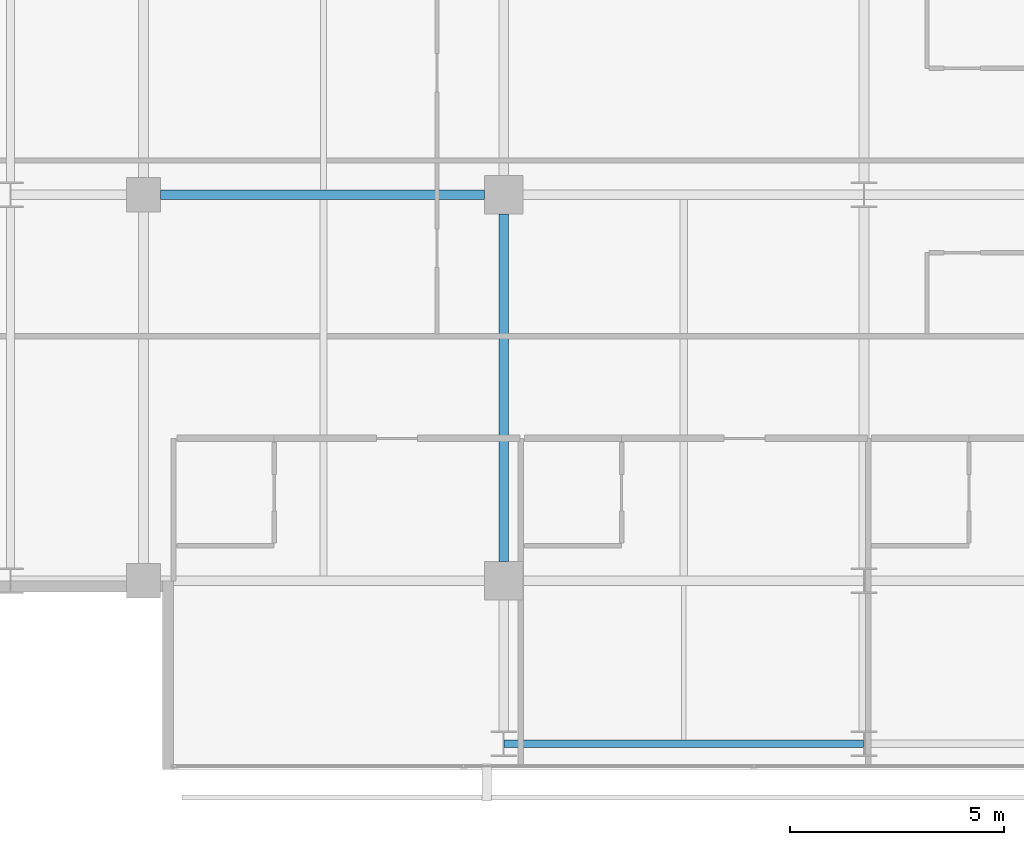
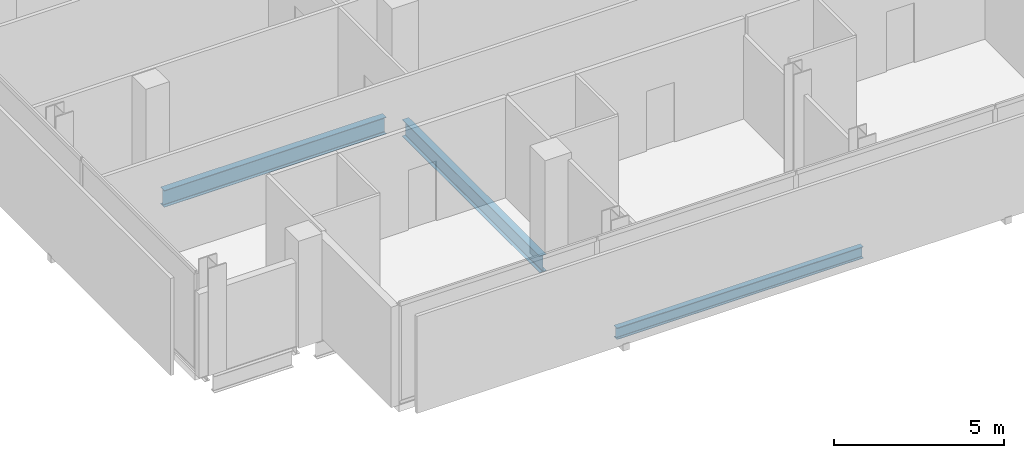
# One storey, part 5 of 34: 3 beams.
"""IFC4 building model written with IfcOpenShell, lengths in metres."""

from ifc_helpers import new_model, si_unit, direction, frame, origin, origin_2d, place, context, subcontext, project, spatial, i_section, extrude, material, material_profile, profile_set, type_object, element, save


model = new_model("IFC4")

# Units and contexts
model_context = context("Model", 3, precision=1e-05, world=origin(), true_north=direction((0.0, 1.0)))
body_context = subcontext(model_context, "Body", "Model", "MODEL_VIEW")
ifc_project = project(units=[si_unit("LENGTHUNIT", "METRE"), si_unit("AREAUNIT", "SQUARE_METRE"), si_unit("VOLUMEUNIT", "CUBIC_METRE"), si_unit("PLANEANGLEUNIT", "RADIAN"), si_unit("MASSUNIT", "GRAM", prefix="KILO")], contexts=[model_context])

# Site, building, storey
site_placement = place(None, origin())
site = spatial("IfcSite", under=ifc_project, at=site_placement, CompositionType="ELEMENT")
building_placement = place(site_placement, origin())
building = spatial("IfcBuilding", under=site, at=building_placement, Name="Maruvema Waterfront Hotel and Observation Tower", CompositionType="ELEMENT")
storey_placement = place(building_placement, frame((0.0, 0.0, 181.300048828125)))
storey = spatial("IfcBuildingStorey", under=building, at=storey_placement, Name="L44", CompositionType="ELEMENT", Elevation=181.300048828125)

# Beams
ifc_material_1 = material(Name="Steel ASTM A572 Grade 50", Category="steel")
ifc_material_profile_1 = material_profile(ifc_material_1, i_section(OverallWidth=0.180908203125, OverallDepth=0.4169921875, WebThickness=0.010986328125, FlangeThickness=0.018310546875, FilletRadius=0.014892578125, at=origin_2d()), Name="W410x85.0")
ifc_profile_set_1 = profile_set([ifc_material_profile_1], Name="Steel ASTM A572 Grade 50")
beam_type_1 = type_object("IfcBeamType", Name="Perimeter Spandrel Beam W410x85.0", PredefinedType="SPANDREL", material=ifc_profile_set_1)
beam_1_placement = place(storey_placement, frame((25.21240234375, 5.199951171875, -0.448486328125), z_axis=(1.0, 0.0, 0.0), x_axis=(0.0, 1.0, 0.0)))
element("IfcBeam", 1, at=beam_1_placement, inside=storey, type_object=beam_type_1, Name="L44 Floor Girder EW-01", PredefinedType="SPANDREL", context=body_context, shape_type="SweptSolid", body=[
    extrude(i_section(OverallWidth=0.180908203125, OverallDepth=0.4169921875, WebThickness=0.010986328125, FlangeThickness=0.018310546875, FilletRadius=0.014892578125, at=origin_2d()), origin(), (0.0, 0.0, 1.0), 8.375),
])
ifc_material_2 = material(Name="Steel ASTM A572 Grade 50", Category="steel")
ifc_material_profile_2 = material_profile(ifc_material_2, i_section(OverallWidth=0.22802734375, OverallDepth=0.60302734375, WebThickness=0.010498046875, FlangeThickness=0.014892578125, FilletRadius=0.01806640625, at=origin_2d()), Name="W610x101.0")
ifc_profile_set_2 = profile_set([ifc_material_profile_2], Name="Steel ASTM A572 Grade 50")
beam_type_2 = type_object("IfcBeamType", Name="Primary Floor Girder W610x101.0", PredefinedType="BEAM", material=ifc_profile_set_2)
beam_2_placement = place(storey_placement, frame((17.199951171875, 18.0, -0.54150390625), z_axis=(1.0, 0.0, 0.0), x_axis=(0.0, 1.0, 0.0)))
element("IfcBeam", 2, at=beam_2_placement, inside=storey, type_object=beam_type_2, Name="L44 Floor Girder EW-12", PredefinedType="BEAM", context=body_context, shape_type="SweptSolid", body=[
    extrude(i_section(OverallWidth=0.22802734375, OverallDepth=0.60302734375, WebThickness=0.010498046875, FlangeThickness=0.014892578125, FilletRadius=0.01806640625, at=origin_2d()), origin(), (0.0, 0.0, 1.0), 7.550048828125),
])
beam_3_placement = place(storey_placement, frame((25.199951171875, 9.449951171875, -0.54150390625), z_axis=(0.0, 1.0, 0.0), x_axis=(-1.0, 0.0, 0.0)))
element("IfcBeam", 3, at=beam_3_placement, inside=storey, type_object=beam_type_2, Name="L44 Floor Girder NS-10", PredefinedType="BEAM", context=body_context, shape_type="SweptSolid", body=[
    extrude(i_section(OverallWidth=0.22802734375, OverallDepth=0.60302734375, WebThickness=0.010498046875, FlangeThickness=0.014892578125, FilletRadius=0.01806640625, at=origin_2d()), origin(), (0.0, 0.0, 1.0), 8.10009765625),
])

save(model, "model.ifc")
